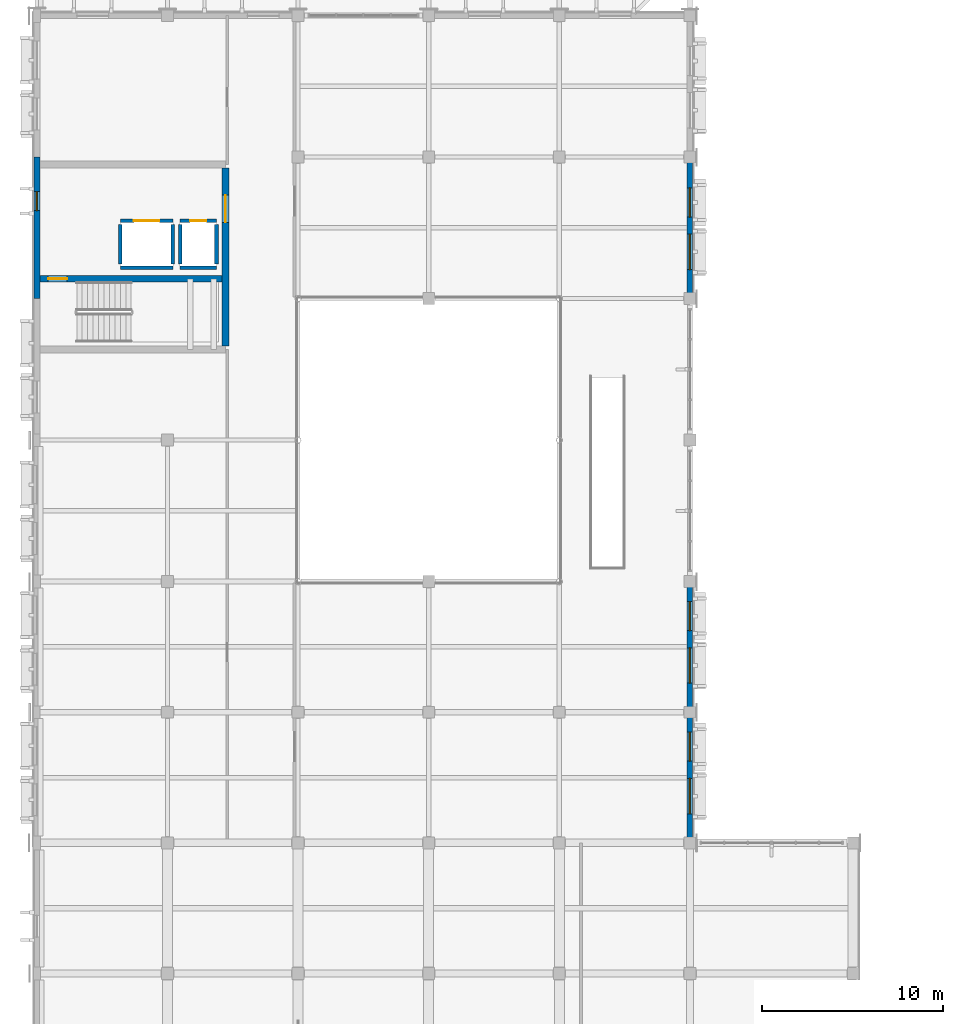
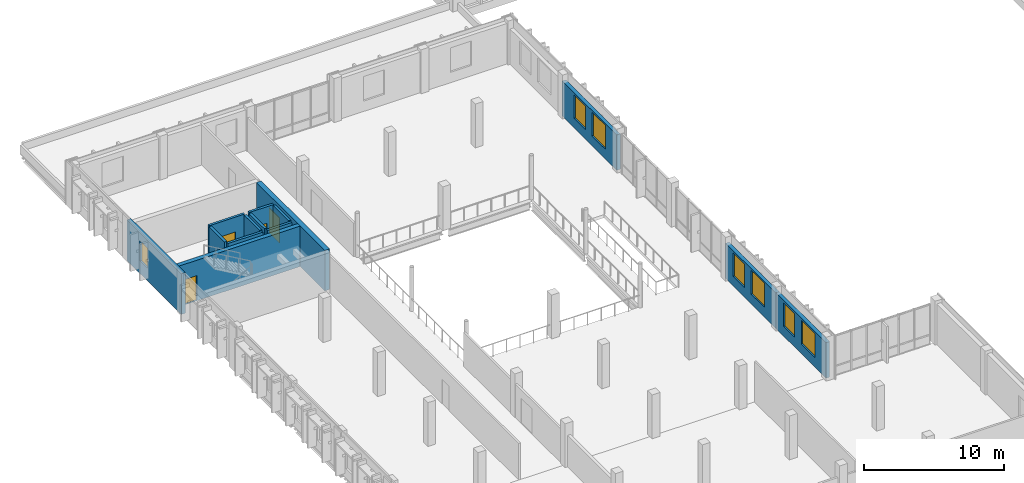
# One storey, part 56 of 85: 14 walls, 7 windows, 4 doors, 11 openings.
"""IFC4 building model written with IfcOpenShell, lengths in metres."""

from ifc_helpers import new_model, si_unit, direction, frame, frame_2d, origin, place, context, subcontext, project, spatial, rectangle, extrude, material, layer, layer_set, type_object, element, fill, save


model = new_model("IFC4")

# Units and contexts
model_context = context("Model", 3, precision=1e-05, world=origin(), true_north=direction((0.0, 1.0)))
body_context = subcontext(model_context, "Body", "Model", "MODEL_VIEW")
ifc_project = project(units=[si_unit("LENGTHUNIT", "METRE"), si_unit("AREAUNIT", "SQUARE_METRE"), si_unit("VOLUMEUNIT", "CUBIC_METRE"), si_unit("PLANEANGLEUNIT", "RADIAN"), si_unit("MASSUNIT", "GRAM", prefix="KILO")], contexts=[model_context])

# Site, building, storey
site_placement = place(None, origin())
site = spatial("IfcSite", under=ifc_project, at=site_placement, CompositionType="ELEMENT")
building_placement = place(site_placement, origin())
building = spatial("IfcBuilding", under=site, at=building_placement, Name="Vervanel Yard Central Library", CompositionType="ELEMENT")
storey_placement = place(building_placement, frame((0.0, 0.0, 5.10009765625)))
storey = spatial("IfcBuildingStorey", under=building, at=storey_placement, Name="L01", CompositionType="ELEMENT", Elevation=5.10009765625)

# Wall, openings, windows
ifc_material_1 = material(Name="Precast concrete C45/55", Category="concrete")
ifc_layer_1 = layer(ifc_material_1, 0.300048828125, Category="concrete")
ifc_layer_set_1 = layer_set([ifc_layer_1], Name="Precast concrete C45/55")
wall_type_1 = type_object("IfcWallType", Name="Bush-Hammered Precast Cladding Wall 300", PredefinedType="SOLIDWALL", material=ifc_layer_set_1)
wall_1_placement = place(storey_placement, frame((36.0, 28.800048828125, 0.0), z_axis=(0.0, 0.0, 1.0), x_axis=(0.0, 1.0, 0.0)))
wall_1 = element("IfcWall", 1, at=wall_1_placement, inside=storey, type_object=wall_type_1, Name="L01 Bush-Hammered Precast Cladding Wall 300 EWALL-L01-0104", PredefinedType="SOLIDWALL", context=body_context, shape_type="SweptSolid", body=[
    extrude(rectangle(XDim=7.199951171875, YDim=0.300048828125, at=frame_2d((3.60009765625, 0.0))), origin(), (0.0, 0.0, 1.0), 3.117431640625),
])
opening_1_placement = place(wall_1_placement, frame((1.60009765625, 0.0, 0.85009765625)))
opening_1 = element("IfcOpeningElement", 2, at=opening_1_placement, cuts=wall_1, Name="Opening WN-24", PredefinedType="OPENING", context=body_context, shape_type="SweptSolid", body=[
    extrude(rectangle(XDim=1.949951171875, YDim=2.10009765625, at=frame_2d((0.97509765625, 1.050048828125))), frame((0.0, 0.159912109375, 0.0), z_axis=(0.0, -1.0, 0.0), x_axis=(1.0, 0.0, 0.0)), (0.0, 0.0, 1.0), 0.320068359375),
])
opening_2_placement = place(wall_1_placement, frame((4.5, 0.0, 0.85009765625)))
opening_2 = element("IfcOpeningElement", 3, at=opening_2_placement, cuts=wall_1, Name="Opening WN-20", PredefinedType="OPENING", context=body_context, shape_type="SweptSolid", body=[
    extrude(rectangle(XDim=1.60009765625, YDim=2.050048828125, at=frame_2d((0.800048828125, 1.02490234375))), frame((0.0, 0.159912109375, 0.0), z_axis=(0.0, -1.0, 0.0), x_axis=(1.0, 0.0, 0.0)), (0.0, 0.0, 1.0), 0.320068359375),
])
ifc_material_2 = material(Name="Double low-E laminated solar-control glass", Category="glass")
window_type_1 = type_object("IfcWindowType", Name="Atrium Study Window 1950x2100", PartitioningType="SINGLE_PANEL", PredefinedType="WINDOW", material=ifc_material_2)
window_1_placement = place(opening_1_placement, origin())
window_1 = element("IfcWindow", 4, at=window_1_placement, inside=storey, type_object=window_type_1, Name="L01 Atrium Study Window 1950x2100 135", OverallHeight=2.10009765625, OverallWidth=1.949951171875, PartitioningType="SINGLE_PANEL", PredefinedType="WINDOW", context=body_context, shape_type="SweptSolid", body=[
    extrude(rectangle(XDim=1.949951171875, YDim=2.10009765625, at=frame_2d((0.97509765625, 1.050048828125))), frame((0.0, 0.030029296875, 0.0), z_axis=(0.0, -1.0, 0.0), x_axis=(1.0, 0.0, 0.0)), (0.0, 0.0, 1.0), 0.06005859375),
])
fill(opening_1, window_1)
window_type_2 = type_object("IfcWindowType", Name="Reading Courtyard Window 1600x2050", PartitioningType="SINGLE_PANEL", PredefinedType="WINDOW", material=ifc_material_2)
window_2_placement = place(opening_2_placement, origin())
window_2 = element("IfcWindow", 5, at=window_2_placement, inside=storey, type_object=window_type_2, Name="L01 Reading Courtyard Window 1600x2050 136", OverallHeight=2.050048828125, OverallWidth=1.60009765625, PartitioningType="SINGLE_PANEL", PredefinedType="WINDOW", context=body_context, shape_type="SweptSolid", body=[
    extrude(rectangle(XDim=1.60009765625, YDim=2.050048828125, at=frame_2d((0.800048828125, 1.02490234375))), frame((0.0, 0.030029296875, 0.0), z_axis=(0.0, -1.0, 0.0), x_axis=(1.0, 0.0, 0.0)), (0.0, 0.0, 1.0), 0.06005859375),
])
fill(opening_2, window_2)

wall_2_placement = place(storey_placement, frame((36.0, 36.0, 0.0), z_axis=(0.0, 0.0, 1.0), x_axis=(0.0, 1.0, 0.0)))
wall_2 = element("IfcWall", 6, at=wall_2_placement, inside=storey, type_object=wall_type_1, Name="L01 Bush-Hammered Precast Cladding Wall 300 EWALL-L01-0105", PredefinedType="SOLIDWALL", context=body_context, shape_type="SweptSolid", body=[
    extrude(rectangle(XDim=7.199951171875, YDim=0.300048828125, at=frame_2d((3.60009765625, 0.0))), origin(), (0.0, 0.0, 1.0), 3.08740234375),
])
opening_3_placement = place(wall_2_placement, frame((1.60009765625, 0.0, 0.85009765625)))
opening_3 = element("IfcOpeningElement", 7, at=opening_3_placement, cuts=wall_2, Name="Opening WN-24", PredefinedType="OPENING", context=body_context, shape_type="SweptSolid", body=[
    extrude(rectangle(XDim=1.949951171875, YDim=2.10009765625, at=frame_2d((0.97509765625, 1.050048828125))), frame((0.0, 0.159912109375, 0.0), z_axis=(0.0, -1.0, 0.0), x_axis=(1.0, 0.0, 0.0)), (0.0, 0.0, 1.0), 0.320068359375),
])
opening_4_placement = place(wall_2_placement, frame((4.5, 0.0, 0.85009765625)))
opening_4 = element("IfcOpeningElement", 8, at=opening_4_placement, cuts=wall_2, Name="Opening WN-20", PredefinedType="OPENING", context=body_context, shape_type="SweptSolid", body=[
    extrude(rectangle(XDim=1.60009765625, YDim=2.050048828125, at=frame_2d((0.800048828125, 1.02490234375))), frame((0.0, 0.159912109375, 0.0), z_axis=(0.0, -1.0, 0.0), x_axis=(1.0, 0.0, 0.0)), (0.0, 0.0, 1.0), 0.320068359375),
])
window_3_placement = place(opening_3_placement, origin())
window_3 = element("IfcWindow", 9, at=window_3_placement, inside=storey, type_object=window_type_1, Name="L01 Atrium Study Window 1950x2100 137", OverallHeight=2.10009765625, OverallWidth=1.949951171875, PartitioningType="SINGLE_PANEL", PredefinedType="WINDOW", context=body_context, shape_type="SweptSolid", body=[
    extrude(rectangle(XDim=1.949951171875, YDim=2.10009765625, at=frame_2d((0.97509765625, 1.050048828125))), frame((0.0, 0.030029296875, 0.0), z_axis=(0.0, -1.0, 0.0), x_axis=(1.0, 0.0, 0.0)), (0.0, 0.0, 1.0), 0.06005859375),
])
fill(opening_3, window_3)
window_4_placement = place(opening_4_placement, origin())
window_4 = element("IfcWindow", 10, at=window_4_placement, inside=storey, type_object=window_type_2, Name="L01 Reading Courtyard Window 1600x2050 138", OverallHeight=2.050048828125, OverallWidth=1.60009765625, PartitioningType="SINGLE_PANEL", PredefinedType="WINDOW", context=body_context, shape_type="SweptSolid", body=[
    extrude(rectangle(XDim=1.60009765625, YDim=2.050048828125, at=frame_2d((0.800048828125, 1.02490234375))), frame((0.0, 0.030029296875, 0.0), z_axis=(0.0, -1.0, 0.0), x_axis=(1.0, 0.0, 0.0)), (0.0, 0.0, 1.0), 0.06005859375),
])
fill(opening_4, window_4)

wall_3_placement = place(storey_placement, frame((36.0, 58.800048828125, 0.0), z_axis=(0.0, 0.0, 1.0), x_axis=(0.0, 1.0, 0.0)))
wall_3 = element("IfcWall", 11, at=wall_3_placement, inside=storey, type_object=wall_type_1, Name="L01 Bush-Hammered Precast Cladding Wall 300 EWALL-L01-0106", PredefinedType="SOLIDWALL", context=body_context, shape_type="SweptSolid", body=[
    extrude(rectangle(XDim=7.800048828125, YDim=0.300048828125, at=frame_2d((3.89990234375, 0.0))), origin(), (0.0, 0.0, 1.0), 3.08740234375),
])
opening_5_placement = place(wall_3_placement, frame((1.60009765625, 0.0, 0.85009765625)))
opening_5 = element("IfcOpeningElement", 12, at=opening_5_placement, cuts=wall_3, Name="Opening WN-24", PredefinedType="OPENING", context=body_context, shape_type="SweptSolid", body=[
    extrude(rectangle(XDim=1.949951171875, YDim=2.10009765625, at=frame_2d((0.97509765625, 1.050048828125))), frame((0.0, 0.159912109375, 0.0), z_axis=(0.0, -1.0, 0.0), x_axis=(1.0, 0.0, 0.0)), (0.0, 0.0, 1.0), 0.320068359375),
])
opening_6_placement = place(wall_3_placement, frame((4.5, 0.0, 0.85009765625)))
opening_6 = element("IfcOpeningElement", 13, at=opening_6_placement, cuts=wall_3, Name="Opening WN-20", PredefinedType="OPENING", context=body_context, shape_type="SweptSolid", body=[
    extrude(rectangle(XDim=1.60009765625, YDim=2.050048828125, at=frame_2d((0.800048828125, 1.02490234375))), frame((0.0, 0.159912109375, 0.0), z_axis=(0.0, -1.0, 0.0), x_axis=(1.0, 0.0, 0.0)), (0.0, 0.0, 1.0), 0.320068359375),
])
window_5_placement = place(opening_5_placement, origin())
window_5 = element("IfcWindow", 14, at=window_5_placement, inside=storey, type_object=window_type_1, Name="L01 Atrium Study Window 1950x2100 139", OverallHeight=2.10009765625, OverallWidth=1.949951171875, PartitioningType="SINGLE_PANEL", PredefinedType="WINDOW", context=body_context, shape_type="SweptSolid", body=[
    extrude(rectangle(XDim=1.949951171875, YDim=2.10009765625, at=frame_2d((0.97509765625, 1.050048828125))), frame((0.0, 0.030029296875, 0.0), z_axis=(0.0, -1.0, 0.0), x_axis=(1.0, 0.0, 0.0)), (0.0, 0.0, 1.0), 0.06005859375),
])
fill(opening_5, window_5)
window_6_placement = place(opening_6_placement, origin())
window_6 = element("IfcWindow", 15, at=window_6_placement, inside=storey, type_object=window_type_2, Name="L01 Reading Courtyard Window 1600x2050 140", OverallHeight=2.050048828125, OverallWidth=1.60009765625, PartitioningType="SINGLE_PANEL", PredefinedType="WINDOW", context=body_context, shape_type="SweptSolid", body=[
    extrude(rectangle(XDim=1.60009765625, YDim=2.050048828125, at=frame_2d((0.800048828125, 1.02490234375))), frame((0.0, 0.030029296875, 0.0), z_axis=(0.0, -1.0, 0.0), x_axis=(1.0, 0.0, 0.0)), (0.0, 0.0, 1.0), 0.06005859375),
])
fill(opening_6, window_6)

# Wall, opening, door
ifc_material_3 = material(Name="Concrete C45/55", Category="concrete")
ifc_layer_2 = layer(ifc_material_3, 0.39990234375, Category="concrete")
ifc_layer_set_2 = layer_set([ifc_layer_2], Name="Concrete C45/55")
wall_type_2 = type_object("IfcWallType", Name="Core Primary Shear Wall 400", PredefinedType="SHEAR", material=ifc_layer_set_2)
wall_4_placement = place(storey_placement, frame((10.39990234375, 56.199951171875, 0.0), z_axis=(0.0, 0.0, 1.0), x_axis=(0.0, 1.0, 0.0)))
wall_4 = element("IfcWall", 16, at=wall_4_placement, inside=storey, type_object=wall_type_2, Name="L01 CORE-C Shear Wall E", PredefinedType="SHEAR", context=body_context, shape_type="SweptSolid", body=[
    extrude(rectangle(XDim=9.800048828125, YDim=0.39990234375, at=frame_2d((4.89990234375, 0.0))), origin(), (0.0, 0.0, 1.0), 3.5498046875),
])
opening_7_placement = place(wall_4_placement, frame((6.800048828125, 0.0, 0.0)))
opening_7 = element("IfcOpeningElement", 17, at=opening_7_placement, cuts=wall_4, Name="Opening DR-F02", PredefinedType="OPENING", context=body_context, shape_type="SweptSolid", body=[
    extrude(rectangle(XDim=1.5, YDim=2.199951171875, at=frame_2d((0.75, 1.10009765625))), frame((0.0, 0.2099609375, 0.0), z_axis=(0.0, -1.0, 0.0), x_axis=(1.0, 0.0, 0.0)), (0.0, 0.0, 1.0), 0.419921875),
])
ifc_material_4 = material(Name="Galvanized painted steelwork ASTM A500 Grade C", Category="steel")
door_type_1 = type_object("IfcDoorType", Name="Fire-Rated Lobby Door 1500x2200", OperationType="NOTDEFINED", PredefinedType="DOOR", material=ifc_material_4)
door_1_placement = place(opening_7_placement, origin())
door_1 = element("IfcDoor", 18, at=door_1_placement, inside=storey, type_object=door_type_1, Name="L01 CORE-C Lobby Fire Door", OperationType="DOUBLE_DOOR_SINGLE_SWING", OverallHeight=2.199951171875, OverallWidth=1.5, PredefinedType="DOOR", context=body_context, shape_type="SweptSolid", body=[
    extrude(rectangle(XDim=1.5, YDim=2.199951171875, at=frame_2d((0.75, 1.10009765625))), frame((0.0, 0.02490234375, 0.0), z_axis=(0.0, -1.0, 0.0), x_axis=(1.0, 0.0, 0.0)), (0.0, 0.0, 1.0), 0.050048828125),
])
fill(opening_7, door_1)

ifc_layer_3 = layer(ifc_material_3, 0.35009765625, Category="concrete")
ifc_layer_set_3 = layer_set([ifc_layer_3], Name="Concrete C45/55")
wall_type_3 = type_object("IfcWallType", Name="Core Secondary Shear Wall 350", PredefinedType="SHEAR", material=ifc_layer_set_3)
wall_5_placement = place(storey_placement, frame((0.169921875, 59.89501953125, 0.0), z_axis=(0.0, 0.0, 1.0), x_axis=(1.0, 0.0, 0.0)))
wall_5 = element("IfcWall", 19, at=wall_5_placement, inside=storey, type_object=wall_type_3, Name="L01 CORE-C Stair Shaft Wall", PredefinedType="SHEAR", context=body_context, shape_type="SweptSolid", body=[
    extrude(rectangle(XDim=10.030029296875, YDim=0.35009765625, at=frame_2d((5.01513671875, 0.0))), origin(), (0.0, 0.0, 1.0), 3.5498046875),
])
opening_8_placement = place(wall_5_placement, frame((0.449951171875, 0.0, 0.0)))
opening_8 = element("IfcOpeningElement", 20, at=opening_8_placement, cuts=wall_5, Name="Opening DR-F01", PredefinedType="OPENING", context=body_context, shape_type="SweptSolid", body=[
    extrude(rectangle(XDim=1.050048828125, YDim=2.199951171875, at=frame_2d((0.52490234375, 1.10009765625))), frame((0.0, 0.18505859375, 0.0), z_axis=(0.0, -1.0, 0.0), x_axis=(1.0, 0.0, 0.0)), (0.0, 0.0, 1.0), 0.3701171875),
])
door_type_2 = type_object("IfcDoorType", Name="Fire-Rated Stair Exit Door 1050x2200", OperationType="NOTDEFINED", PredefinedType="DOOR", material=ifc_material_4)
door_2_placement = place(opening_8_placement, origin())
door_2 = element("IfcDoor", 21, at=door_2_placement, inside=storey, type_object=door_type_2, Name="L01 CORE-C Stair Door", OperationType="SINGLE_SWING_RIGHT", OverallHeight=2.199951171875, OverallWidth=1.050048828125, PredefinedType="DOOR", context=body_context, shape_type="SweptSolid", body=[
    extrude(rectangle(XDim=1.050048828125, YDim=2.199951171875, at=frame_2d((0.52490234375, 1.10009765625))), frame((0.0, 0.02490234375, 0.0), z_axis=(0.0, -1.0, 0.0), x_axis=(1.0, 0.0, 0.0)), (0.0, 0.0, 1.0), 0.050048828125),
])
fill(opening_8, door_2)

# Wall, opening, window
ifc_layer_4 = layer(ifc_material_3, 0.340087890625, Category="concrete")
ifc_layer_set_4 = layer_set([ifc_layer_4], Name="Concrete C45/55")
wall_type_4 = type_object("IfcWallType", Name="Exterior Bearing Concrete Frame Wall 340", PredefinedType="SOLIDWALL", material=ifc_layer_set_4)
wall_6_placement = place(storey_placement, frame((0.0, 58.800048828125, 0.0), z_axis=(0.0, 0.0, 1.0), x_axis=(0.0, 1.0, 0.0)))
wall_6 = element("IfcWall", 22, at=wall_6_placement, inside=storey, type_object=wall_type_4, Name="L01 Exterior Bearing Concrete Frame Wall 340 EWALL-L01-0102", PredefinedType="SOLIDWALL", context=body_context, shape_type="SweptSolid", body=[
    extrude(rectangle(XDim=7.800048828125, YDim=0.340087890625, at=frame_2d((3.89990234375, 0.0))), origin(), (0.0, 0.0, 1.0), 3.5498046875),
])
opening_9_placement = place(wall_6_placement, frame((4.85009765625, 0.0, 1.10009765625)))
opening_9 = element("IfcOpeningElement", 23, at=opening_9_placement, cuts=wall_6, Name="Opening WN-16", PredefinedType="OPENING", context=body_context, shape_type="SweptSolid", body=[
    extrude(rectangle(XDim=1.050048828125, YDim=1.75, at=frame_2d((0.52490234375, 0.875))), frame((0.0, 0.179931640625, 0.0), z_axis=(0.0, -1.0, 0.0), x_axis=(1.0, 0.0, 0.0)), (0.0, 0.0, 1.0), 0.360107421875),
])
window_type_3 = type_object("IfcWindowType", Name="Study Carrel Punch Window 1050x1750", PartitioningType="SINGLE_PANEL", PredefinedType="WINDOW", material=ifc_material_2)
window_7_placement = place(opening_9_placement, origin())
window_7 = element("IfcWindow", 24, at=window_7_placement, inside=storey, type_object=window_type_3, Name="L01 Study Carrel Punch Window 1050x1750 132", OverallHeight=1.75, OverallWidth=1.050048828125, PartitioningType="SINGLE_PANEL", PredefinedType="WINDOW", context=body_context, shape_type="SweptSolid", body=[
    extrude(rectangle(XDim=1.050048828125, YDim=1.75, at=frame_2d((0.52490234375, 0.875))), frame((0.0, 0.030029296875, 0.0), z_axis=(0.0, -1.0, 0.0), x_axis=(1.0, 0.0, 0.0)), (0.0, 0.0, 1.0), 0.06005859375),
])
fill(opening_9, window_7)

# Wall
ifc_material_5 = material(Name="Concrete C40/50", Category="concrete")
ifc_layer_5 = layer(ifc_material_5, 0.199951171875, Category="concrete")
ifc_layer_set_5 = layer_set([ifc_layer_5], Name="Concrete C40/50")
wall_type_5 = type_object("IfcWallType", Name="Shaft & Plant Rated Wall 200", PredefinedType="PARTITIONING", material=ifc_layer_set_5)
wall_7_placement = place(storey_placement, frame((4.60009765625, 60.5, 0.0), z_axis=(0.0, 0.0, 1.0), x_axis=(1.0, 0.0, 0.0)))
element("IfcWall", 25, at=wall_7_placement, inside=storey, type_object=wall_type_5, Name="L01 CORE-C-L01-EL-06 Shaft Wall S", PredefinedType="PARTITIONING", context=body_context, shape_type="SweptSolid", body=[
    extrude(rectangle(XDim=2.89990234375, YDim=0.199951171875, at=frame_2d((1.449951171875, 0.0))), origin(), (0.0, 0.0, 1.0), 3.5498046875),
])

# Wall, opening, door
wall_8_placement = place(storey_placement, frame((4.60009765625, 63.10009765625, 0.0), z_axis=(0.0, 0.0, 1.0), x_axis=(1.0, 0.0, 0.0)))
wall_8 = element("IfcWall", 26, at=wall_8_placement, inside=storey, type_object=wall_type_5, Name="L01 CORE-C-L01-EL-06 Shaft Wall N", PredefinedType="PARTITIONING", context=body_context, shape_type="SweptSolid", body=[
    extrude(rectangle(XDim=2.89990234375, YDim=0.199951171875, at=frame_2d((1.449951171875, 0.0))), origin(), (0.0, 0.0, 1.0), 3.5498046875),
])
opening_10_placement = place(wall_8_placement, frame((0.75, 0.0, 0.0)))
opening_10 = element("IfcOpeningElement", 27, at=opening_10_placement, cuts=wall_8, Name="Opening LD-02", PredefinedType="OPENING", context=body_context, shape_type="SweptSolid", body=[
    extrude(rectangle(XDim=1.39990234375, YDim=2.25, at=frame_2d((0.699951171875, 1.125))), frame((0.0, 0.10986328125, 0.0), z_axis=(0.0, -1.0, 0.0), x_axis=(1.0, 0.0, 0.0)), (0.0, 0.0, 1.0), 0.219970703125),
])
ifc_material_6 = material(Name="Brushed stainless steel AISI 316", Category="steel")
door_type_3 = type_object("IfcDoorType", Name="Collections Freight Lift Sliding Door 1400x2250", OperationType="NOTDEFINED", PredefinedType="DOOR", material=ifc_material_6)
door_3_placement = place(opening_10_placement, origin())
door_3 = element("IfcDoor", 28, at=door_3_placement, inside=storey, type_object=door_type_3, Name="L01 Lift EL-06 Landing Door", OperationType="SLIDING_TO_LEFT", OverallHeight=2.25, OverallWidth=1.39990234375, PredefinedType="DOOR", context=body_context, shape_type="SweptSolid", body=[
    extrude(rectangle(XDim=1.39990234375, YDim=2.25, at=frame_2d((0.699951171875, 1.125))), frame((0.0, 0.02490234375, 0.0), z_axis=(0.0, -1.0, 0.0), x_axis=(1.0, 0.0, 0.0)), (0.0, 0.0, 1.0), 0.050048828125),
])
fill(opening_10, door_3)

# Walls
for number, where, z_axis, x_axis, name in (
    (29, (4.60009765625, 60.699951171875, 0.0), (0.0, 0.0, 1.0), (0.0, 1.0, 0.0), "L01 CORE-C-L01-EL-06 Shaft Wall W"),
    (30, (7.5, 60.699951171875, 0.0), (0.0, 0.0, 1.0), (0.0, 1.0, 0.0), "L01 CORE-C-L01-EL-06 Shaft Wall E"),
):
    element("IfcWall", number, at=place(storey_placement, frame(where, z_axis=z_axis, x_axis=x_axis)), inside=storey, type_object=wall_type_5, Name=name, PredefinedType="PARTITIONING", context=body_context, shape_type="SweptSolid", body=[
        extrude(rectangle(XDim=2.199951171875, YDim=0.199951171875, at=frame_2d((1.10009765625, 0.0))), origin(), (0.0, 0.0, 1.0), 3.5498046875),
    ])
wall_9_placement = place(storey_placement, frame((7.89990234375, 60.5, 0.0), z_axis=(0.0, 0.0, 1.0), x_axis=(1.0, 0.0, 0.0)))
element("IfcWall", 31, at=wall_9_placement, inside=storey, type_object=wall_type_5, Name="L01 CORE-C-L01-RIS Shaft Wall S", PredefinedType="PARTITIONING", context=body_context, shape_type="SweptSolid", body=[
    extrude(rectangle(XDim=2.0, YDim=0.199951171875, at=frame_2d((1.0, 0.0))), origin(), (0.0, 0.0, 1.0), 3.5498046875),
])

# Wall, opening, door
wall_10_placement = place(storey_placement, frame((7.89990234375, 63.10009765625, 0.0), z_axis=(0.0, 0.0, 1.0), x_axis=(1.0, 0.0, 0.0)))
wall_10 = element("IfcWall", 32, at=wall_10_placement, inside=storey, type_object=wall_type_5, Name="L01 CORE-C-L01-RIS Shaft Wall N", PredefinedType="PARTITIONING", context=body_context, shape_type="SweptSolid", body=[
    extrude(rectangle(XDim=2.0, YDim=0.199951171875, at=frame_2d((1.0, 0.0))), origin(), (0.0, 0.0, 1.0), 3.5498046875),
])
opening_11_placement = place(wall_10_placement, frame((0.550048828125, 0.0, 0.0)))
opening_11 = element("IfcOpeningElement", 33, at=opening_11_placement, cuts=wall_10, Name="Opening DR-03", PredefinedType="OPENING", context=body_context, shape_type="SweptSolid", body=[
    extrude(rectangle(XDim=0.89990234375, YDim=2.10009765625, at=frame_2d((0.449951171875, 1.050048828125))), frame((0.0, 0.10986328125, 0.0), z_axis=(0.0, -1.0, 0.0), x_axis=(1.0, 0.0, 0.0)), (0.0, 0.0, 1.0), 0.219970703125),
])
door_type_4 = type_object("IfcDoorType", Name="Interior Riser Access Door 900x2100", OperationType="NOTDEFINED", PredefinedType="DOOR", material=ifc_material_4)
door_4_placement = place(opening_11_placement, origin())
door_4 = element("IfcDoor", 34, at=door_4_placement, inside=storey, type_object=door_type_4, Name="L01 CORE-C Riser Access Door", OperationType="SINGLE_SWING_LEFT", OverallHeight=2.10009765625, OverallWidth=0.89990234375, PredefinedType="DOOR", context=body_context, shape_type="SweptSolid", body=[
    extrude(rectangle(XDim=0.89990234375, YDim=2.10009765625, at=frame_2d((0.449951171875, 1.050048828125))), frame((0.0, 0.02490234375, 0.0), z_axis=(0.0, -1.0, 0.0), x_axis=(1.0, 0.0, 0.0)), (0.0, 0.0, 1.0), 0.050048828125),
])
fill(opening_11, door_4)

# Walls
for number, where, z_axis, x_axis, name in (
    (35, (7.89990234375, 60.699951171875, 0.0), (0.0, 0.0, 1.0), (0.0, 1.0, 0.0), "L01 CORE-C-L01-RIS Shaft Wall W"),
    (36, (9.89990234375, 60.699951171875, 0.0), (0.0, 0.0, 1.0), (0.0, 1.0, 0.0), "L01 CORE-C-L01-RIS Shaft Wall E"),
):
    element("IfcWall", number, at=place(storey_placement, frame(where, z_axis=z_axis, x_axis=x_axis)), inside=storey, type_object=wall_type_5, Name=name, PredefinedType="PARTITIONING", context=body_context, shape_type="SweptSolid", body=[
        extrude(rectangle(XDim=2.199951171875, YDim=0.199951171875, at=frame_2d((1.10009765625, 0.0))), origin(), (0.0, 0.0, 1.0), 3.5498046875),
    ])

save(model, "model.ifc")
